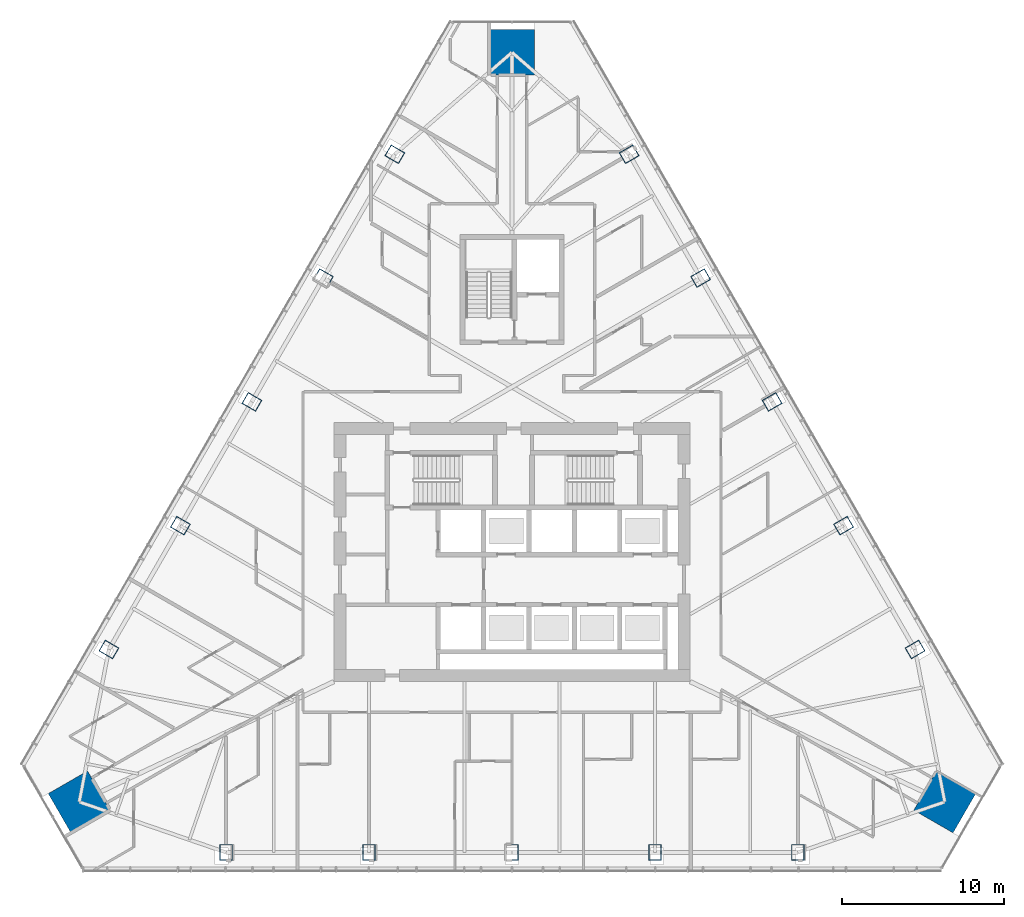
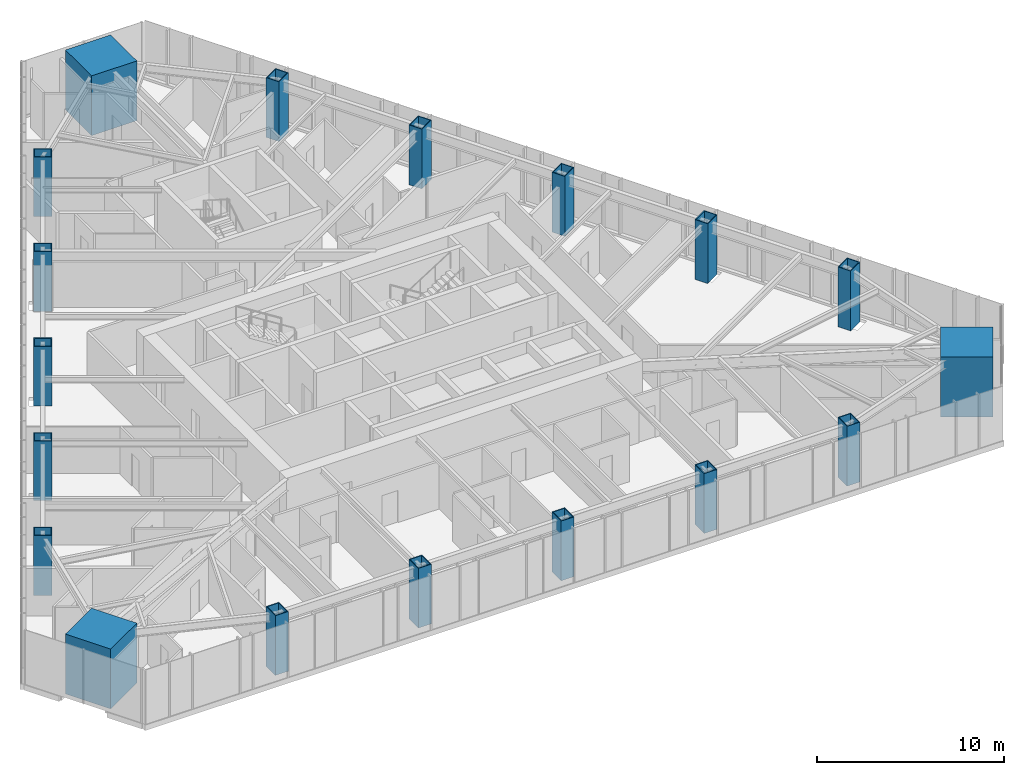
# One storey, part 1 of 19: 18 columns.
"""IFC4 building model written with IfcOpenShell, lengths in metres."""

from ifc_helpers import new_model, si_unit, direction, frame, origin, origin_2d, place, context, subcontext, project, spatial, rectangle, hollow_rectangle, extrude, material, material_profile, profile_set, type_object, element, save


model = new_model("IFC4")

# Units and contexts
model_context = context("Model", 3, precision=1e-05, world=origin(), true_north=direction((0.0, 1.0)))
body_context = subcontext(model_context, "Body", "Model", "MODEL_VIEW")
ifc_project = project(units=[si_unit("LENGTHUNIT", "METRE"), si_unit("AREAUNIT", "SQUARE_METRE"), si_unit("VOLUMEUNIT", "CUBIC_METRE"), si_unit("PLANEANGLEUNIT", "RADIAN"), si_unit("MASSUNIT", "GRAM", prefix="KILO")], contexts=[model_context])

# Site, building, storey
site_placement = place(None, origin())
site = spatial("IfcSite", under=ifc_project, at=site_placement, CompositionType="ELEMENT")
building_placement = place(site_placement, origin())
building = spatial("IfcBuilding", under=site, at=building_placement, Name="Firuza Gate Tower and Library", CompositionType="ELEMENT")
storey_placement = place(building_placement, frame((0.0, 0.0, 179.199951171875)))
storey = spatial("IfcBuildingStorey", under=building, at=storey_placement, Name="L41", CompositionType="ELEMENT", Elevation=179.199951171875)

# Columns
ifc_material_1 = material(Name="Steel S355", Category="steel")
ifc_material_profile_1 = material_profile(ifc_material_1, hollow_rectangle(XDim=0.800048828125, YDim=1.0, WallThickness=0.050048828125, at=origin_2d()))
ifc_profile_set_1 = profile_set([ifc_material_profile_1], Name="Steel S355")
column_type_1 = type_object("IfcColumnType", Name="BU1000x800x50 Composite box column", PredefinedType="COLUMN", material=ifc_profile_set_1)
for number, where, z_axis, x_axis, name in (
    (1, (57.352294921875, 56.459716796875, -0.000244140625), (0.0, 0.0, 1.0), (1.0, 0.0, 0.0), "Column S1 L41"),
    (2, (66.176025390625, 56.459716796875, -0.000244140625), (0.0, 0.0, 1.0), (1.0, 0.0, 0.0), "Column S2 L41"),
    (3, (75.0, 56.459716796875, -0.000244140625), (0.0, 0.0, 1.0), (1.0, 0.0, 0.0), "Column S3 L41"),
    (4, (83.823974609375, 56.459716796875, -0.000244140625), (0.0, 0.0, 1.0), (1.0, 0.0, 0.0), "Column S4 L41"),
    (5, (92.647705078125, 56.459716796875, -0.000244140625), (0.0, 0.0, 1.0), (1.0, 0.0, 0.0), "Column S5 L41"),
    (6, (99.880126953125, 68.98681640625, -0.000244140625), (0.0, 0.0, 1.0), (-0.5, 0.866025403784, 0.0), "Column E1 L41"),
    (7, (95.46826171875, 76.62841796875, -0.000244140625), (0.0, 0.0, 1.0), (-0.5, 0.866025403784, 0.0), "Column E2 L41"),
    (8, (91.056396484375, 84.270263671875, -0.000244140625), (0.0, 0.0, 1.0), (-0.5, 0.866025403784, 0.0), "Column E3 L41"),
    (9, (86.64453125, 91.911865234375, -0.000244140625), (0.0, 0.0, 1.0), (-0.5, 0.866025403784, 0.0), "Column E4 L41"),
    (10, (82.232421875, 99.553466796875, -0.000244140625), (0.0, 0.0, 1.0), (-0.5, 0.866025403784, 0.0), "Column E5 L41"),
    (11, (67.767578125, 99.553466796875, -0.000244140625), (0.0, 0.0, 1.0), (-0.5, -0.866025403784, 0.0), "Column W1 L41"),
    (12, (63.35546875, 91.911865234375, -0.000244140625), (0.0, 0.0, 1.0), (-0.5, -0.866025403784, 0.0), "Column W2 L41"),
    (13, (58.943603515625, 84.270263671875, -0.000244140625), (0.0, 0.0, 1.0), (-0.5, -0.866025403784, 0.0), "Column W3 L41"),
    (14, (54.53173828125, 76.62841796875, -0.000244140625), (0.0, 0.0, 1.0), (-0.5, -0.866025403784, 0.0), "Column W4 L41"),
    (15, (50.119873046875, 68.98681640625, -0.000244140625), (0.0, 0.0, 1.0), (-0.5, -0.866025403784, 0.0), "Column W5 L41"),
):
    element("IfcColumn", number, at=place(storey_placement, frame(where, z_axis=z_axis, x_axis=x_axis)), inside=storey, type_object=column_type_1, Name=name, PredefinedType="COLUMN", context=body_context, shape_type="SweptSolid", body=[
        extrude(hollow_rectangle(XDim=0.800048828125, YDim=1.0, WallThickness=0.050048828125, at=origin_2d()), origin(), (0.0, 0.0, 1.0), 3.900390625),
    ])
ifc_material_2 = material(Name="Concrete C80/95", Category="concrete")
ifc_material_profile_2 = material_profile(ifc_material_2, rectangle(XDim=2.800048828125, YDim=2.800048828125, at=origin_2d()))
ifc_profile_set_2 = profile_set([ifc_material_profile_2], Name="Concrete C80/95")
column_type_2 = type_object("IfcColumnType", Name="Mega column 2800x2800 C80/95", PredefinedType="COLUMN", material=ifc_profile_set_2)
for number, where, z_axis, x_axis, name in (
    (16, (101.712646484375, 59.577392578125, 0.0), (0.0, 0.0, 1.0), (0.5, 0.866025403784, 0.0), "Mega column SE L41"),
    (17, (75.0, 105.84521484375, 0.0), (0.0, 0.0, 1.0), (-1.0, 0.0, 0.0), "Mega column N L41"),
    (18, (48.287353515625, 59.577392578125, 0.0), (0.0, 0.0, 1.0), (0.5, -0.866025403784, 0.0), "Mega column SW L41"),
):
    element("IfcColumn", number, at=place(storey_placement, frame(where, z_axis=z_axis, x_axis=x_axis)), inside=storey, type_object=column_type_2, Name=name, PredefinedType="COLUMN", context=body_context, shape_type="SweptSolid", body=[
        extrude(rectangle(XDim=2.800048828125, YDim=2.800048828125, at=origin_2d()), origin(), (0.0, 0.0, 1.0), 3.900146484375),
    ])

save(model, "model.ifc")
